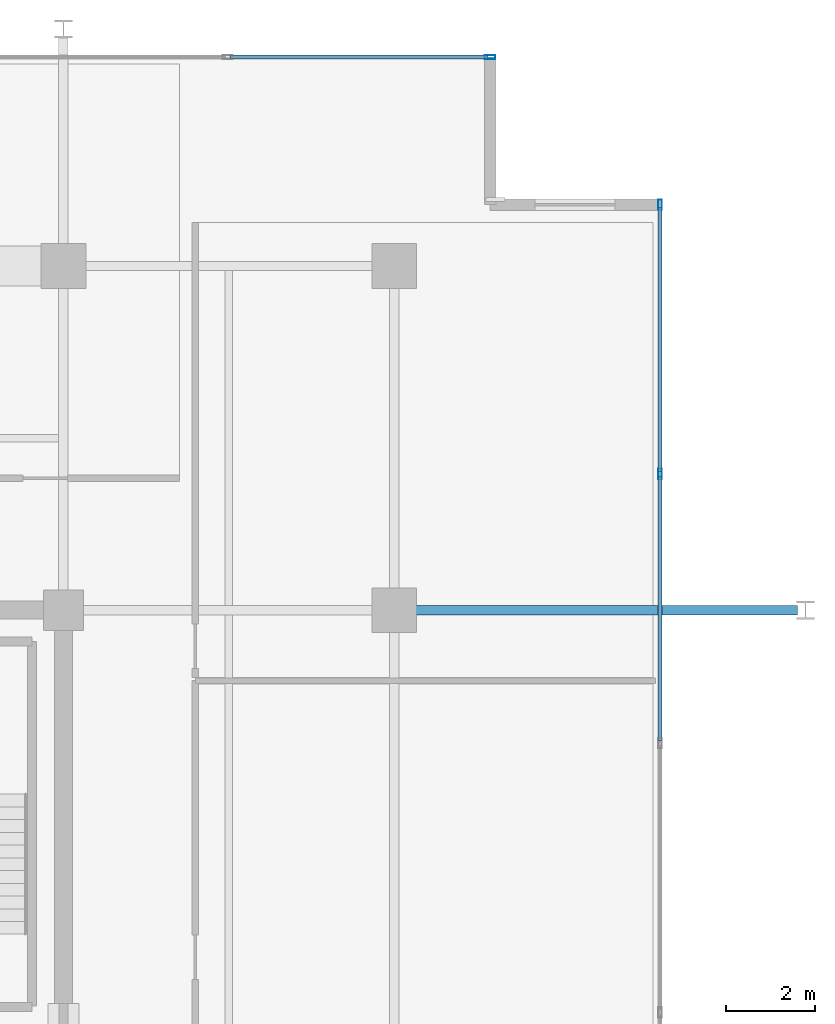
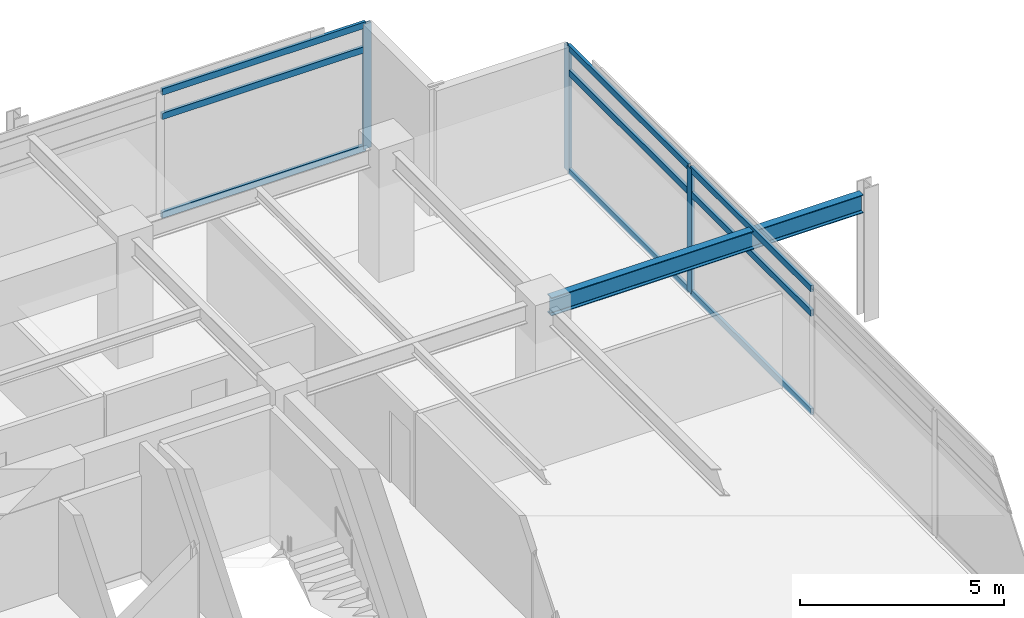
# One storey, part 12 of 21: 12 members, 1 beam, 2 elements without a shape of their own.
"""IFC4 building model written with IfcOpenShell, lengths in metres."""

from ifc_helpers import new_model, si_unit, direction, frame, origin, origin_2d, place, context, subcontext, project, spatial, hollow_rectangle, i_section, extrude, material, material_profile, profile_set, type_object, element, aggregate, save


model = new_model("IFC4")

# Units and contexts
model_context = context("Model", 3, precision=1e-05, world=origin(), true_north=direction((0.0, 1.0)))
body_context = subcontext(model_context, "Body", "Model", "MODEL_VIEW")
ifc_project = project(units=[si_unit("LENGTHUNIT", "METRE"), si_unit("AREAUNIT", "SQUARE_METRE"), si_unit("VOLUMEUNIT", "CUBIC_METRE"), si_unit("PLANEANGLEUNIT", "RADIAN"), si_unit("MASSUNIT", "GRAM", prefix="KILO")], contexts=[model_context])

# Site, building, storey
site_placement = place(None, origin())
site = spatial("IfcSite", under=ifc_project, at=site_placement, CompositionType="ELEMENT")
building_placement = place(site_placement, origin())
building = spatial("IfcBuilding", under=site, at=building_placement, Name="Kovane Verandah Tower", CompositionType="ELEMENT")
storey_placement = place(building_placement, frame((0.0, 0.0, 310.800048828125)))
storey = spatial("IfcBuildingStorey", under=building, at=storey_placement, Name="L72", CompositionType="ELEMENT", Elevation=310.800048828125)

# Beam
ifc_material_1 = material(Name="Steel S355", Category="steel")
ifc_material_profile_1 = material_profile(ifc_material_1, i_section(OverallWidth=0.2119140625, OverallDepth=0.54443359375, WebThickness=0.0126953125, FlangeThickness=0.021240234375, FilletRadius=0.0126953125, at=origin_2d()), Name="UB533x210x122")
ifc_profile_set_1 = profile_set([ifc_material_profile_1], Name="Steel S355")
beam_type = type_object("IfcBeamType", Name="BM-UB533x122", PredefinedType="BEAM", material=ifc_profile_set_1)
beam_placement = place(storey_placement, frame((58.580078125, 36.5, 3.48779296875), z_axis=(1.0, 0.0, 0.0), x_axis=(0.0, 1.0, 0.0)))
element("IfcBeam", 1, at=beam_placement, inside=storey, type_object=beam_type, Name="L72 Primary Tower Girder G-VE2", PredefinedType="BEAM", context=body_context, shape_type="SweptSolid", body=[
    extrude(i_section(OverallWidth=0.2119140625, OverallDepth=0.54443359375, WebThickness=0.0126953125, FlangeThickness=0.021240234375, FilletRadius=0.0126953125, at=origin_2d()), origin(), (0.0, 0.0, 1.0), 8.83984375),
])

# Curtain wall, members
ifc_material_2 = material(Name="Champagne Anodised Aluminium Frame with Low-E Clear Laminated Glass", Category="aluminium")
curtain_wall_type = type_object("IfcCurtainWallType", Name="CW-SYS-05-HIGH", PredefinedType="NOTDEFINED", material=ifc_material_2)
curtain_wall_1_placement = place(storey_placement, origin())
curtain_wall_1 = element("IfcCurtainWall", 2, at=curtain_wall_1_placement, inside=storey, type_object=curtain_wall_type, Name="L72 E Unitised Curtain Wall", PredefinedType="NOTDEFINED")
ifc_material_3 = material(Name="Champagne Anodised Aluminium 6063-T6", Category="aluminium")
ifc_material_profile_2 = material_profile(ifc_material_3, hollow_rectangle(XDim=0.0849609375, YDim=0.22998046875, WallThickness=0.00390625, at=origin_2d()), Name="AL85x230x4")
ifc_profile_set_2 = profile_set([ifc_material_profile_2], Name="Champagne Anodised Aluminium 6063-T6")
member_type_1 = type_object("IfcMemberType", Name="CW-MUL-85x230", PredefinedType="MULLION", material=ifc_profile_set_2)
member_1_placement = place(storey_placement, frame((64.344482421875, 39.548095703125, 0.02001953125), z_axis=(0.0, 0.0, 1.0), x_axis=(1.0, 0.0, 0.0)))
member_1 = element("IfcMember", 3, at=member_1_placement, type_object=member_type_1, Name="L72 E Unitised Curtain Wall Mullion 6", PredefinedType="MULLION", context=body_context, shape_type="SweptSolid", body=[
    extrude(hollow_rectangle(XDim=0.0849609375, YDim=0.22998046875, WallThickness=0.00390625, at=origin_2d()), origin(), (0.0, 0.0, 1.0), 3.744873046875),
])
member_2_placement = place(storey_placement, frame((64.344482421875, 45.572265625, 0.02001953125), z_axis=(0.0, 0.0, 1.0), x_axis=(1.0, 0.0, 0.0)))
member_2 = element("IfcMember", 4, at=member_2_placement, type_object=member_type_1, Name="L72 E Unitised Curtain Wall Mullion 7", PredefinedType="MULLION", context=body_context, shape_type="SweptSolid", body=[
    extrude(hollow_rectangle(XDim=0.0849609375, YDim=0.22998046875, WallThickness=0.00390625, at=origin_2d()), origin(), (0.0, 0.0, 1.0), 3.744873046875),
])

# Curtain wall, member
curtain_wall_2_placement = place(storey_placement, origin())
curtain_wall_2 = element("IfcCurtainWall", 5, at=curtain_wall_2_placement, inside=storey, type_object=curtain_wall_type, Name="L72 N Unitised Curtain Wall", PredefinedType="NOTDEFINED")
member_3_placement = place(storey_placement, frame((60.54443359375, 48.872314453125, 0.02001953125), z_axis=(0.0, 0.0, 1.0), x_axis=(0.0, 1.0, 0.0)))
member_3 = element("IfcMember", 6, at=member_3_placement, type_object=member_type_1, Name="L72 N Unitised Curtain Wall Mullion 1", PredefinedType="MULLION", context=body_context, shape_type="SweptSolid", body=[
    extrude(hollow_rectangle(XDim=0.0849609375, YDim=0.22998046875, WallThickness=0.00390625, at=origin_2d()), origin(), (0.0, 0.0, 1.0), 3.744873046875),
])

# Member
ifc_material_profile_3 = material_profile(ifc_material_3, hollow_rectangle(XDim=0.0849609375, YDim=0.18994140625, WallThickness=0.00390625, at=origin_2d()), Name="AL85x190x4")
ifc_profile_set_3 = profile_set([ifc_material_profile_3], Name="Champagne Anodised Aluminium 6063-T6")
member_type_2 = type_object("IfcMemberType", Name="CW-TRN-85x190", PredefinedType="USERDEFINED", material=ifc_profile_set_3)
member_4_placement = place(storey_placement, frame((64.344482421875, 33.57421875, 0.050048828125), z_axis=(0.0, 1.0, 0.0), x_axis=(-1.0, 0.0, 0.0)))
member_4 = element("IfcMember", 7, at=member_4_placement, type_object=member_type_2, Name="L72 E Unitised Curtain Wall Transom TB Bay 5", ObjectType="TRANSOM", PredefinedType="USERDEFINED", context=body_context, shape_type="SweptSolid", body=[
    extrude(hollow_rectangle(XDim=0.0849609375, YDim=0.18994140625, WallThickness=0.00390625, at=origin_2d()), origin(), (0.0, 0.0, 1.0), 5.923828125),
])

member_5_placement = place(storey_placement, frame((64.344482421875, 33.57421875, 3.0048828125), z_axis=(0.0, 1.0, 0.0), x_axis=(-1.0, 0.0, 0.0)))
member_5 = element("IfcMember", 8, at=member_5_placement, type_object=member_type_2, Name="L72 E Unitised Curtain Wall Transom TM Bay 5", ObjectType="TRANSOM", PredefinedType="USERDEFINED", context=body_context, shape_type="SweptSolid", body=[
    extrude(hollow_rectangle(XDim=0.0849609375, YDim=0.18994140625, WallThickness=0.00390625, at=origin_2d()), origin(), (0.0, 0.0, 1.0), 5.923828125),
])

member_6_placement = place(storey_placement, frame((64.344482421875, 33.57421875, 3.73486328125), z_axis=(0.0, 1.0, 0.0), x_axis=(-1.0, 0.0, 0.0)))
member_6 = element("IfcMember", 9, at=member_6_placement, type_object=member_type_2, Name="L72 E Unitised Curtain Wall Transom TT Bay 5", ObjectType="TRANSOM", PredefinedType="USERDEFINED", context=body_context, shape_type="SweptSolid", body=[
    extrude(hollow_rectangle(XDim=0.0849609375, YDim=0.18994140625, WallThickness=0.00390625, at=origin_2d()), origin(), (0.0, 0.0, 1.0), 5.923828125),
])

member_7_placement = place(storey_placement, frame((64.344482421875, 39.59814453125, 0.050048828125), z_axis=(0.0, 1.0, 0.0), x_axis=(-1.0, 0.0, 0.0)))
member_7 = element("IfcMember", 10, at=member_7_placement, type_object=member_type_2, Name="L72 E Unitised Curtain Wall Transom TB Bay 6", ObjectType="TRANSOM", PredefinedType="USERDEFINED", context=body_context, shape_type="SweptSolid", body=[
    extrude(hollow_rectangle(XDim=0.0849609375, YDim=0.18994140625, WallThickness=0.00390625, at=origin_2d()), origin(), (0.0, 0.0, 1.0), 5.924072265625),
])

member_8_placement = place(storey_placement, frame((64.344482421875, 39.59814453125, 3.0048828125), z_axis=(0.0, 1.0, 0.0), x_axis=(-1.0, 0.0, 0.0)))
member_8 = element("IfcMember", 11, at=member_8_placement, type_object=member_type_2, Name="L72 E Unitised Curtain Wall Transom TM Bay 6", ObjectType="TRANSOM", PredefinedType="USERDEFINED", context=body_context, shape_type="SweptSolid", body=[
    extrude(hollow_rectangle(XDim=0.0849609375, YDim=0.18994140625, WallThickness=0.00390625, at=origin_2d()), origin(), (0.0, 0.0, 1.0), 5.924072265625),
])

member_9_placement = place(storey_placement, frame((64.344482421875, 39.59814453125, 3.73486328125), z_axis=(0.0, 1.0, 0.0), x_axis=(-1.0, 0.0, 0.0)))
member_9 = element("IfcMember", 12, at=member_9_placement, type_object=member_type_2, Name="L72 E Unitised Curtain Wall Transom TT Bay 6", ObjectType="TRANSOM", PredefinedType="USERDEFINED", context=body_context, shape_type="SweptSolid", body=[
    extrude(hollow_rectangle(XDim=0.0849609375, YDim=0.18994140625, WallThickness=0.00390625, at=origin_2d()), origin(), (0.0, 0.0, 1.0), 5.924072265625),
])

aggregate(curtain_wall_1, [member_1, member_2, member_4, member_5, member_6, member_7, member_8, member_9])

member_10_placement = place(storey_placement, frame((60.494384765625, 48.872314453125, 0.050048828125), z_axis=(-1.0, 0.0, 0.0), x_axis=(0.0, -1.0, 0.0)))
member_10 = element("IfcMember", 13, at=member_10_placement, type_object=member_type_2, Name="L72 N Unitised Curtain Wall Transom TB Bay 1", ObjectType="TRANSOM", PredefinedType="USERDEFINED", context=body_context, shape_type="SweptSolid", body=[
    extrude(hollow_rectangle(XDim=0.0849609375, YDim=0.18994140625, WallThickness=0.00390625, at=origin_2d()), origin(), (0.0, 0.0, 1.0), 5.769775390625),
])

member_11_placement = place(storey_placement, frame((60.494384765625, 48.872314453125, 3.0048828125), z_axis=(-1.0, 0.0, 0.0), x_axis=(0.0, -1.0, 0.0)))
member_11 = element("IfcMember", 14, at=member_11_placement, type_object=member_type_2, Name="L72 N Unitised Curtain Wall Transom TM Bay 1", ObjectType="TRANSOM", PredefinedType="USERDEFINED", context=body_context, shape_type="SweptSolid", body=[
    extrude(hollow_rectangle(XDim=0.0849609375, YDim=0.18994140625, WallThickness=0.00390625, at=origin_2d()), origin(), (0.0, 0.0, 1.0), 5.769775390625),
])

member_12_placement = place(storey_placement, frame((60.494384765625, 48.872314453125, 3.73486328125), z_axis=(-1.0, 0.0, 0.0), x_axis=(0.0, -1.0, 0.0)))
member_12 = element("IfcMember", 15, at=member_12_placement, type_object=member_type_2, Name="L72 N Unitised Curtain Wall Transom TT Bay 1", ObjectType="TRANSOM", PredefinedType="USERDEFINED", context=body_context, shape_type="SweptSolid", body=[
    extrude(hollow_rectangle(XDim=0.0849609375, YDim=0.18994140625, WallThickness=0.00390625, at=origin_2d()), origin(), (0.0, 0.0, 1.0), 5.769775390625),
])

aggregate(curtain_wall_2, [member_3, member_10, member_11, member_12])

save(model, "model.ifc")
